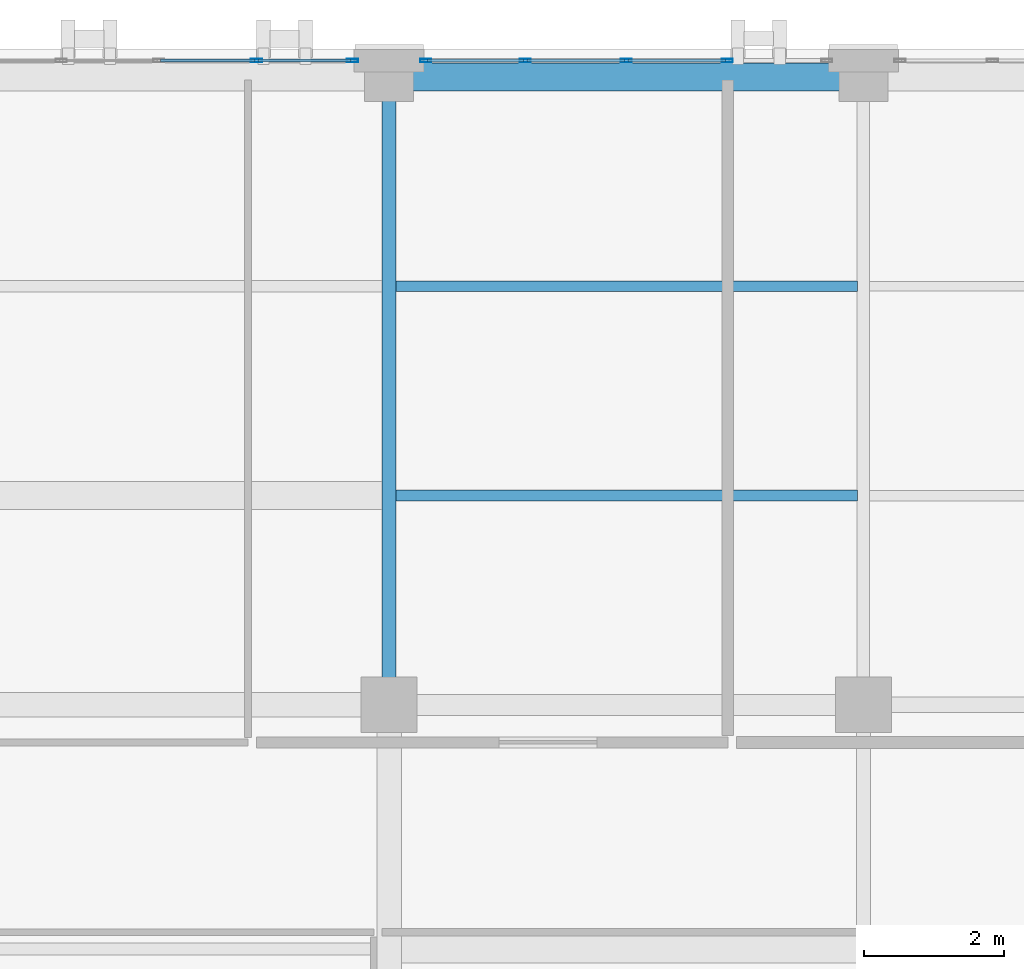
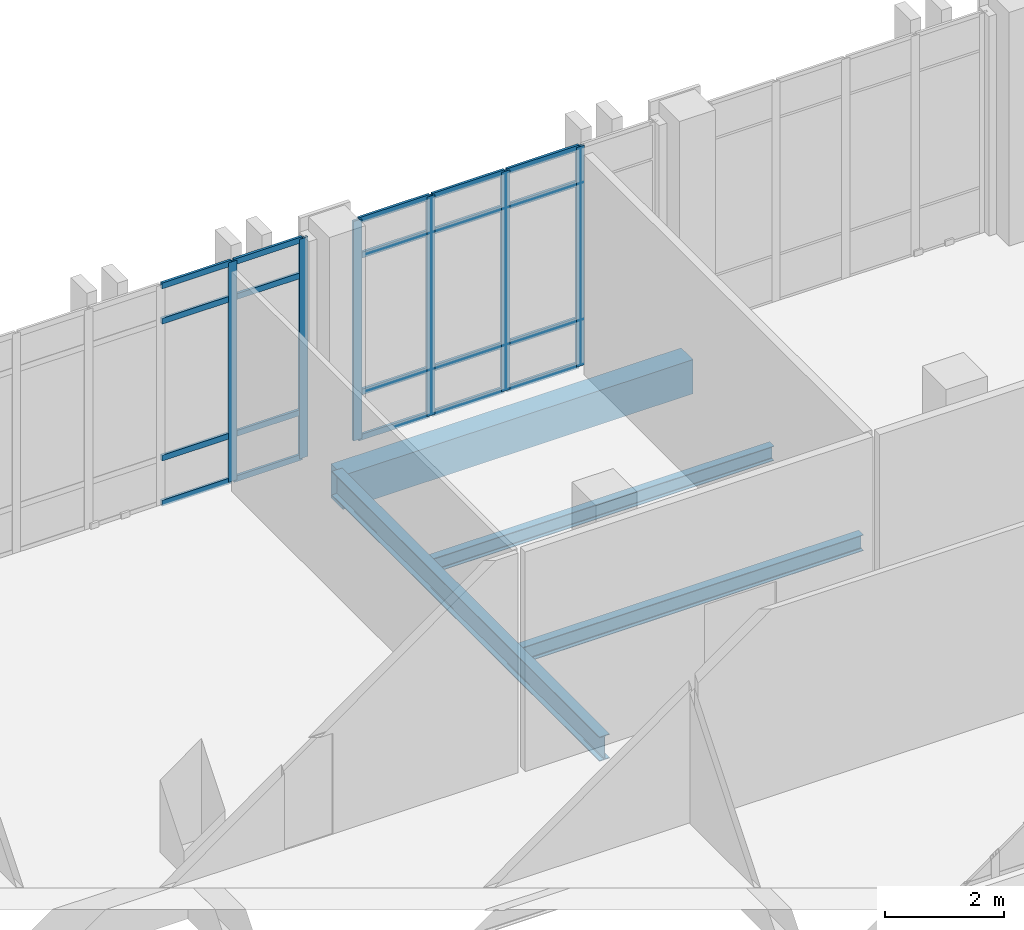
# One storey, part 95 of 189: 26 members, 4 beams, 2 elements without a shape of their own.
"""IFC4 building model written with IfcOpenShell, lengths in metres."""

from ifc_helpers import new_model, si_unit, direction, frame, origin, origin_2d, place, context, subcontext, project, spatial, rectangle, hollow_rectangle, i_section, extrude, material, layer, layer_set, material_profile, profile_set, type_object, element, aggregate, save


model = new_model("IFC4")

# Units and contexts
model_context = context("Model", 3, precision=1e-05, world=origin(), true_north=direction((0.0, 1.0)))
body_context = subcontext(model_context, "Body", "Model", "MODEL_VIEW")
ifc_project = project(units=[si_unit("LENGTHUNIT", "METRE"), si_unit("AREAUNIT", "SQUARE_METRE"), si_unit("VOLUMEUNIT", "CUBIC_METRE"), si_unit("PLANEANGLEUNIT", "RADIAN"), si_unit("MASSUNIT", "GRAM", prefix="KILO")], contexts=[model_context])

# Site, building, storey
site_placement = place(None, origin())
site = spatial("IfcSite", under=ifc_project, at=site_placement, CompositionType="ELEMENT")
building_placement = place(site_placement, origin())
building = spatial("IfcBuilding", under=site, at=building_placement, Name="Qalavern Law Courts", CompositionType="ELEMENT")
storey_placement = place(building_placement, frame((0.0, 0.0, 5.39990234375)))
storey = spatial("IfcBuildingStorey", under=building, at=storey_placement, Name="L01", CompositionType="ELEMENT", Elevation=5.39990234375)

# Curtain wall, members
ifc_material_1 = material(Name="Anodised aluminium and insulated glazing", Category="aluminium")
ifc_layer = layer(ifc_material_1, 0.166015625)
ifc_layer_set = layer_set([ifc_layer], Name="Anodised aluminium and insulated glazing")
curtain_wall_type = type_object("IfcCurtainWallType", Name="ENV-CW-LIB", PredefinedType="USERDEFINED", material=ifc_layer_set)
curtain_wall_1_placement = place(storey_placement, origin())
curtain_wall_1 = element("IfcCurtainWall", 1, at=curtain_wall_1_placement, inside=storey, type_object=curtain_wall_type, Name="V5 unitised curtain wall L01 north 3", ObjectType="UNITISED CURTAIN WALL", PredefinedType="USERDEFINED")
ifc_material_2 = material(Name="Anodised aluminium", Category="aluminium")
ifc_material_profile_1 = material_profile(ifc_material_2, hollow_rectangle(XDim=0.048095703125, YDim=0.159912109375, WallThickness=0.00390625, at=origin_2d()), Name="ALU MULLION 48x160")
ifc_profile_set_1 = profile_set([ifc_material_profile_1], Name="Anodised aluminium")
member_type_1 = type_object("IfcMemberType", Name="ENV-CWM-48x160", PredefinedType="MULLION", material=ifc_profile_set_1)
member_1_placement = place(storey_placement, frame((49.64990234375, 112.83740234375, 0.0), z_axis=(0.0, 0.0, 1.0), x_axis=(0.0, -1.0, 0.0)))
member_1 = element("IfcMember", 2, at=member_1_placement, type_object=member_type_1, Name="CW-05 mullion 2", PredefinedType="MULLION", context=body_context, shape_type="SweptSolid", body=[
    extrude(hollow_rectangle(XDim=0.048095703125, YDim=0.159912109375, WallThickness=0.00390625, at=origin_2d()), origin(), (0.0, 0.0, 1.0), 4.510009765625),
])
member_2_placement = place(storey_placement, frame((48.199951171875, 112.83740234375, 0.0), z_axis=(0.0, 0.0, 1.0), x_axis=(0.0, -1.0, 0.0)))
member_2 = element("IfcMember", 3, at=member_2_placement, type_object=member_type_1, Name="CW-05 mullion 3", PredefinedType="MULLION", context=body_context, shape_type="SweptSolid", body=[
    extrude(hollow_rectangle(XDim=0.048095703125, YDim=0.159912109375, WallThickness=0.00390625, at=origin_2d()), origin(), (0.0, 0.0, 1.0), 4.510009765625),
])
member_3_placement = place(storey_placement, frame((46.75, 112.83740234375, 0.0), z_axis=(0.0, 0.0, 1.0), x_axis=(0.0, -1.0, 0.0)))
member_3 = element("IfcMember", 4, at=member_3_placement, type_object=member_type_1, Name="CW-05 mullion 4", PredefinedType="MULLION", context=body_context, shape_type="SweptSolid", body=[
    extrude(hollow_rectangle(XDim=0.048095703125, YDim=0.159912109375, WallThickness=0.00390625, at=origin_2d()), origin(), (0.0, 0.0, 1.0), 4.510009765625),
])
member_4_placement = place(storey_placement, frame((45.323974609375, 112.83740234375, 0.0), z_axis=(0.0, 0.0, 1.0), x_axis=(0.0, -1.0, 0.0)))
member_4 = element("IfcMember", 5, at=member_4_placement, type_object=member_type_1, Name="CW-05 mullion 5", PredefinedType="MULLION", context=body_context, shape_type="SweptSolid", body=[
    extrude(hollow_rectangle(XDim=0.048095703125, YDim=0.159912109375, WallThickness=0.00390625, at=origin_2d()), origin(), (0.0, 0.0, 1.0), 4.510009765625),
])

curtain_wall_2_placement = place(storey_placement, origin())
curtain_wall_2 = element("IfcCurtainWall", 6, at=curtain_wall_2_placement, inside=storey, type_object=curtain_wall_type, Name="V5 unitised curtain wall L01 north 4", ObjectType="UNITISED CURTAIN WALL", PredefinedType="USERDEFINED")
member_5_placement = place(storey_placement, frame((44.27587890625, 112.83740234375, 0.0), z_axis=(0.0, 0.0, 1.0), x_axis=(0.0, -1.0, 0.0)))
member_5 = element("IfcMember", 7, at=member_5_placement, type_object=member_type_1, Name="CW-05 mullion 1", PredefinedType="MULLION", context=body_context, shape_type="SweptSolid", body=[
    extrude(hollow_rectangle(XDim=0.048095703125, YDim=0.159912109375, WallThickness=0.00390625, at=origin_2d()), origin(), (0.0, 0.0, 1.0), 4.510009765625),
])
member_6_placement = place(storey_placement, frame((42.89990234375, 112.83740234375, 0.0), z_axis=(0.0, 0.0, 1.0), x_axis=(0.0, -1.0, 0.0)))
member_6 = element("IfcMember", 8, at=member_6_placement, type_object=member_type_1, Name="CW-05 mullion 2", PredefinedType="MULLION", context=body_context, shape_type="SweptSolid", body=[
    extrude(hollow_rectangle(XDim=0.048095703125, YDim=0.159912109375, WallThickness=0.00390625, at=origin_2d()), origin(), (0.0, 0.0, 1.0), 4.510009765625),
])

# Member
ifc_material_profile_2 = material_profile(ifc_material_2, hollow_rectangle(XDim=0.048095703125, YDim=0.1201171875, WallThickness=0.00390625, at=origin_2d()), Name="ALU TRANSOM 48x120")
ifc_profile_set_2 = profile_set([ifc_material_profile_2], Name="Anodised aluminium")
member_type_2 = type_object("IfcMemberType", Name="ENV-CWT-48x120", PredefinedType="USERDEFINED", material=ifc_profile_set_2)
member_7_placement = place(storey_placement, frame((49.6259765625, 112.83740234375, 0.024169921875), z_axis=(-1.0, 0.0, 0.0), x_axis=(0.0, -1.0, 0.0)))
member_7 = element("IfcMember", 9, at=member_7_placement, type_object=member_type_2, Name="CW-05 transom 2.1", ObjectType="TRANSOM", PredefinedType="USERDEFINED", context=body_context, shape_type="SweptSolid", body=[
    extrude(hollow_rectangle(XDim=0.048095703125, YDim=0.1201171875, WallThickness=0.00390625, at=origin_2d()), origin(), (0.0, 0.0, 1.0), 1.40185546875),
])

member_8_placement = place(storey_placement, frame((49.6259765625, 112.83740234375, 0.9501953125), z_axis=(-1.0, 0.0, 0.0), x_axis=(0.0, -1.0, 0.0)))
member_8 = element("IfcMember", 10, at=member_8_placement, type_object=member_type_2, Name="CW-05 transom 2.2", ObjectType="TRANSOM", PredefinedType="USERDEFINED", context=body_context, shape_type="SweptSolid", body=[
    extrude(hollow_rectangle(XDim=0.048095703125, YDim=0.1201171875, WallThickness=0.00390625, at=origin_2d()), origin(), (0.0, 0.0, 1.0), 1.40185546875),
])

member_9_placement = place(storey_placement, frame((49.6259765625, 112.83740234375, 3.760009765625), z_axis=(-1.0, 0.0, 0.0), x_axis=(0.0, -1.0, 0.0)))
member_9 = element("IfcMember", 11, at=member_9_placement, type_object=member_type_2, Name="CW-05 transom 2.3", ObjectType="TRANSOM", PredefinedType="USERDEFINED", context=body_context, shape_type="SweptSolid", body=[
    extrude(hollow_rectangle(XDim=0.048095703125, YDim=0.1201171875, WallThickness=0.00390625, at=origin_2d()), origin(), (0.0, 0.0, 1.0), 1.40185546875),
])

member_10_placement = place(storey_placement, frame((49.6259765625, 112.83740234375, 4.486083984375), z_axis=(-1.0, 0.0, 0.0), x_axis=(0.0, -1.0, 0.0)))
member_10 = element("IfcMember", 12, at=member_10_placement, type_object=member_type_2, Name="CW-05 transom 2.4", ObjectType="TRANSOM", PredefinedType="USERDEFINED", context=body_context, shape_type="SweptSolid", body=[
    extrude(hollow_rectangle(XDim=0.048095703125, YDim=0.1201171875, WallThickness=0.00390625, at=origin_2d()), origin(), (0.0, 0.0, 1.0), 1.40185546875),
])

member_11_placement = place(storey_placement, frame((48.176025390625, 112.83740234375, 0.024169921875), z_axis=(-1.0, 0.0, 0.0), x_axis=(0.0, -1.0, 0.0)))
member_11 = element("IfcMember", 13, at=member_11_placement, type_object=member_type_2, Name="CW-05 transom 3.1", ObjectType="TRANSOM", PredefinedType="USERDEFINED", context=body_context, shape_type="SweptSolid", body=[
    extrude(hollow_rectangle(XDim=0.048095703125, YDim=0.1201171875, WallThickness=0.00390625, at=origin_2d()), origin(), (0.0, 0.0, 1.0), 1.402099609375),
])

member_12_placement = place(storey_placement, frame((48.176025390625, 112.83740234375, 0.9501953125), z_axis=(-1.0, 0.0, 0.0), x_axis=(0.0, -1.0, 0.0)))
member_12 = element("IfcMember", 14, at=member_12_placement, type_object=member_type_2, Name="CW-05 transom 3.2", ObjectType="TRANSOM", PredefinedType="USERDEFINED", context=body_context, shape_type="SweptSolid", body=[
    extrude(hollow_rectangle(XDim=0.048095703125, YDim=0.1201171875, WallThickness=0.00390625, at=origin_2d()), origin(), (0.0, 0.0, 1.0), 1.402099609375),
])

member_13_placement = place(storey_placement, frame((48.176025390625, 112.83740234375, 3.760009765625), z_axis=(-1.0, 0.0, 0.0), x_axis=(0.0, -1.0, 0.0)))
member_13 = element("IfcMember", 15, at=member_13_placement, type_object=member_type_2, Name="CW-05 transom 3.3", ObjectType="TRANSOM", PredefinedType="USERDEFINED", context=body_context, shape_type="SweptSolid", body=[
    extrude(hollow_rectangle(XDim=0.048095703125, YDim=0.1201171875, WallThickness=0.00390625, at=origin_2d()), origin(), (0.0, 0.0, 1.0), 1.402099609375),
])

member_14_placement = place(storey_placement, frame((48.176025390625, 112.83740234375, 4.486083984375), z_axis=(-1.0, 0.0, 0.0), x_axis=(0.0, -1.0, 0.0)))
member_14 = element("IfcMember", 16, at=member_14_placement, type_object=member_type_2, Name="CW-05 transom 3.4", ObjectType="TRANSOM", PredefinedType="USERDEFINED", context=body_context, shape_type="SweptSolid", body=[
    extrude(hollow_rectangle(XDim=0.048095703125, YDim=0.1201171875, WallThickness=0.00390625, at=origin_2d()), origin(), (0.0, 0.0, 1.0), 1.402099609375),
])

member_15_placement = place(storey_placement, frame((46.72607421875, 112.83740234375, 0.024169921875), z_axis=(-1.0, 0.0, 0.0), x_axis=(0.0, -1.0, 0.0)))
member_15 = element("IfcMember", 17, at=member_15_placement, type_object=member_type_2, Name="CW-05 transom 4.1", ObjectType="TRANSOM", PredefinedType="USERDEFINED", context=body_context, shape_type="SweptSolid", body=[
    extrude(hollow_rectangle(XDim=0.048095703125, YDim=0.1201171875, WallThickness=0.00390625, at=origin_2d()), origin(), (0.0, 0.0, 1.0), 1.378173828125),
])

member_16_placement = place(storey_placement, frame((46.72607421875, 112.83740234375, 0.9501953125), z_axis=(-1.0, 0.0, 0.0), x_axis=(0.0, -1.0, 0.0)))
member_16 = element("IfcMember", 18, at=member_16_placement, type_object=member_type_2, Name="CW-05 transom 4.2", ObjectType="TRANSOM", PredefinedType="USERDEFINED", context=body_context, shape_type="SweptSolid", body=[
    extrude(hollow_rectangle(XDim=0.048095703125, YDim=0.1201171875, WallThickness=0.00390625, at=origin_2d()), origin(), (0.0, 0.0, 1.0), 1.378173828125),
])

member_17_placement = place(storey_placement, frame((46.72607421875, 112.83740234375, 3.760009765625), z_axis=(-1.0, 0.0, 0.0), x_axis=(0.0, -1.0, 0.0)))
member_17 = element("IfcMember", 19, at=member_17_placement, type_object=member_type_2, Name="CW-05 transom 4.3", ObjectType="TRANSOM", PredefinedType="USERDEFINED", context=body_context, shape_type="SweptSolid", body=[
    extrude(hollow_rectangle(XDim=0.048095703125, YDim=0.1201171875, WallThickness=0.00390625, at=origin_2d()), origin(), (0.0, 0.0, 1.0), 1.378173828125),
])

member_18_placement = place(storey_placement, frame((46.72607421875, 112.83740234375, 4.486083984375), z_axis=(-1.0, 0.0, 0.0), x_axis=(0.0, -1.0, 0.0)))
member_18 = element("IfcMember", 20, at=member_18_placement, type_object=member_type_2, Name="CW-05 transom 4.4", ObjectType="TRANSOM", PredefinedType="USERDEFINED", context=body_context, shape_type="SweptSolid", body=[
    extrude(hollow_rectangle(XDim=0.048095703125, YDim=0.1201171875, WallThickness=0.00390625, at=origin_2d()), origin(), (0.0, 0.0, 1.0), 1.378173828125),
])

aggregate(curtain_wall_1, [member_1, member_2, member_3, member_4, member_7, member_8, member_9, member_10, member_11, member_12, member_13, member_14, member_15, member_16, member_17, member_18])

member_19_placement = place(storey_placement, frame((44.251953125, 112.83740234375, 0.024169921875), z_axis=(-1.0, 0.0, 0.0), x_axis=(0.0, -1.0, 0.0)))
member_19 = element("IfcMember", 21, at=member_19_placement, type_object=member_type_2, Name="CW-05 transom 1.1", ObjectType="TRANSOM", PredefinedType="USERDEFINED", context=body_context, shape_type="SweptSolid", body=[
    extrude(hollow_rectangle(XDim=0.048095703125, YDim=0.1201171875, WallThickness=0.00390625, at=origin_2d()), origin(), (0.0, 0.0, 1.0), 1.327880859375),
])

member_20_placement = place(storey_placement, frame((44.251953125, 112.83740234375, 0.9501953125), z_axis=(-1.0, 0.0, 0.0), x_axis=(0.0, -1.0, 0.0)))
member_20 = element("IfcMember", 22, at=member_20_placement, type_object=member_type_2, Name="CW-05 transom 1.2", ObjectType="TRANSOM", PredefinedType="USERDEFINED", context=body_context, shape_type="SweptSolid", body=[
    extrude(hollow_rectangle(XDim=0.048095703125, YDim=0.1201171875, WallThickness=0.00390625, at=origin_2d()), origin(), (0.0, 0.0, 1.0), 1.327880859375),
])

member_21_placement = place(storey_placement, frame((44.251953125, 112.83740234375, 3.760009765625), z_axis=(-1.0, 0.0, 0.0), x_axis=(0.0, -1.0, 0.0)))
member_21 = element("IfcMember", 23, at=member_21_placement, type_object=member_type_2, Name="CW-05 transom 1.3", ObjectType="TRANSOM", PredefinedType="USERDEFINED", context=body_context, shape_type="SweptSolid", body=[
    extrude(hollow_rectangle(XDim=0.048095703125, YDim=0.1201171875, WallThickness=0.00390625, at=origin_2d()), origin(), (0.0, 0.0, 1.0), 1.327880859375),
])

member_22_placement = place(storey_placement, frame((44.251953125, 112.83740234375, 4.486083984375), z_axis=(-1.0, 0.0, 0.0), x_axis=(0.0, -1.0, 0.0)))
member_22 = element("IfcMember", 24, at=member_22_placement, type_object=member_type_2, Name="CW-05 transom 1.4", ObjectType="TRANSOM", PredefinedType="USERDEFINED", context=body_context, shape_type="SweptSolid", body=[
    extrude(hollow_rectangle(XDim=0.048095703125, YDim=0.1201171875, WallThickness=0.00390625, at=origin_2d()), origin(), (0.0, 0.0, 1.0), 1.327880859375),
])

member_23_placement = place(storey_placement, frame((42.8759765625, 112.83740234375, 0.024169921875), z_axis=(-1.0, 0.0, 0.0), x_axis=(0.0, -1.0, 0.0)))
member_23 = element("IfcMember", 25, at=member_23_placement, type_object=member_type_2, Name="CW-05 transom 2.1", ObjectType="TRANSOM", PredefinedType="USERDEFINED", context=body_context, shape_type="SweptSolid", body=[
    extrude(hollow_rectangle(XDim=0.048095703125, YDim=0.1201171875, WallThickness=0.00390625, at=origin_2d()), origin(), (0.0, 0.0, 1.0), 1.35205078125),
])

member_24_placement = place(storey_placement, frame((42.8759765625, 112.83740234375, 0.9501953125), z_axis=(-1.0, 0.0, 0.0), x_axis=(0.0, -1.0, 0.0)))
member_24 = element("IfcMember", 26, at=member_24_placement, type_object=member_type_2, Name="CW-05 transom 2.2", ObjectType="TRANSOM", PredefinedType="USERDEFINED", context=body_context, shape_type="SweptSolid", body=[
    extrude(hollow_rectangle(XDim=0.048095703125, YDim=0.1201171875, WallThickness=0.00390625, at=origin_2d()), origin(), (0.0, 0.0, 1.0), 1.35205078125),
])

member_25_placement = place(storey_placement, frame((42.8759765625, 112.83740234375, 3.760009765625), z_axis=(-1.0, 0.0, 0.0), x_axis=(0.0, -1.0, 0.0)))
member_25 = element("IfcMember", 27, at=member_25_placement, type_object=member_type_2, Name="CW-05 transom 2.3", ObjectType="TRANSOM", PredefinedType="USERDEFINED", context=body_context, shape_type="SweptSolid", body=[
    extrude(hollow_rectangle(XDim=0.048095703125, YDim=0.1201171875, WallThickness=0.00390625, at=origin_2d()), origin(), (0.0, 0.0, 1.0), 1.35205078125),
])

member_26_placement = place(storey_placement, frame((42.8759765625, 112.83740234375, 4.486083984375), z_axis=(-1.0, 0.0, 0.0), x_axis=(0.0, -1.0, 0.0)))
member_26 = element("IfcMember", 28, at=member_26_placement, type_object=member_type_2, Name="CW-05 transom 2.4", ObjectType="TRANSOM", PredefinedType="USERDEFINED", context=body_context, shape_type="SweptSolid", body=[
    extrude(hollow_rectangle(XDim=0.048095703125, YDim=0.1201171875, WallThickness=0.00390625, at=origin_2d()), origin(), (0.0, 0.0, 1.0), 1.35205078125),
])

aggregate(curtain_wall_2, [member_5, member_6, member_19, member_20, member_21, member_22, member_23, member_24, member_25, member_26])

# Beams
ifc_material_3 = material(Name="Steel S355", Category="steel")
ifc_material_profile_3 = material_profile(ifc_material_3, i_section(OverallWidth=0.199951171875, OverallDepth=0.5, WebThickness=0.01025390625, FlangeThickness=0.01611328125, FilletRadius=0.02099609375, at=origin_2d()), Name="IPE 500")
ifc_profile_set_3 = profile_set([ifc_material_profile_3], Name="Steel S355")
beam_type_1 = type_object("IfcBeamType", Name="STR-BM-IPE500", PredefinedType="BEAM", material=ifc_profile_set_3)
beam_1_placement = place(storey_placement, frame((44.800048828125, 103.60009765625, -0.5498046875), z_axis=(0.0, 1.0, 0.0), x_axis=(-1.0, 0.0, 0.0)))
element("IfcBeam", 29, at=beam_1_placement, inside=storey, type_object=beam_type_1, Name="V5 Y-beam 6-2 L01", PredefinedType="BEAM", context=body_context, shape_type="SweptSolid", body=[
    extrude(i_section(OverallWidth=0.199951171875, OverallDepth=0.5, WebThickness=0.01025390625, FlangeThickness=0.01611328125, FilletRadius=0.02099609375, at=origin_2d()), origin(), (0.0, 0.0, 1.0), 9.0),
])
ifc_material_profile_4 = material_profile(ifc_material_3, i_section(OverallWidth=0.14990234375, OverallDepth=0.300048828125, WebThickness=0.007080078125, FlangeThickness=0.0107421875, FilletRadius=0.014892578125, at=origin_2d()), Name="IPE 300")
ifc_profile_set_4 = profile_set([ifc_material_profile_4], Name="Steel S355")
beam_type_2 = type_object("IfcBeamType", Name="STR-JST-IPE300", PredefinedType="JOIST", material=ifc_profile_set_4)
beam_2_placement = place(storey_placement, frame((44.89794921875, 109.60009765625, -0.449951171875), z_axis=(1.0, 0.0, 0.0), x_axis=(0.0, 1.0, 0.0)))
element("IfcBeam", 30, at=beam_2_placement, inside=storey, type_object=beam_type_2, Name="V5 secondary joist 6.2.2 L01", PredefinedType="JOIST", context=body_context, shape_type="SweptSolid", body=[
    extrude(i_section(OverallWidth=0.14990234375, OverallDepth=0.300048828125, WebThickness=0.007080078125, FlangeThickness=0.0107421875, FilletRadius=0.014892578125, at=origin_2d()), origin(), (0.0, 0.0, 1.0), 6.614013671875),
])
ifc_material_profile_5 = material_profile(ifc_material_3, i_section(OverallWidth=0.159912109375, OverallDepth=0.330078125, WebThickness=0.007568359375, FlangeThickness=0.011474609375, FilletRadius=0.01806640625, at=origin_2d()), Name="IPE 330")
ifc_profile_set_5 = profile_set([ifc_material_profile_5], Name="Steel S355")
beam_type_3 = type_object("IfcBeamType", Name="STR-JST-IPE330", PredefinedType="JOIST", material=ifc_profile_set_5)
beam_3_placement = place(storey_placement, frame((44.89794921875, 106.60009765625, -0.46484375), z_axis=(1.0, 0.0, 0.0), x_axis=(0.0, 1.0, 0.0)))
element("IfcBeam", 31, at=beam_3_placement, inside=storey, type_object=beam_type_3, Name="V5 secondary joist 6.2.1 L01", PredefinedType="JOIST", context=body_context, shape_type="SweptSolid", body=[
    extrude(i_section(OverallWidth=0.159912109375, OverallDepth=0.330078125, WebThickness=0.007568359375, FlangeThickness=0.011474609375, FilletRadius=0.01806640625, at=origin_2d()), origin(), (0.0, 0.0, 1.0), 6.614013671875),
])
ifc_material_4 = material(Name="Concrete C40/50", Category="concrete")
ifc_material_profile_6 = material_profile(ifc_material_4, rectangle(XDim=0.39990234375, YDim=0.699951171875, at=origin_2d()), Name="RC 400x700")
ifc_profile_set_6 = profile_set([ifc_material_profile_6], Name="Concrete C40/50")
beam_type_4 = type_object("IfcBeamType", Name="STR-SP-RC400x700", PredefinedType="SPANDREL", material=ifc_profile_set_6)
beam_4_placement = place(storey_placement, frame((44.800048828125, 112.60009765625, -0.64990234375), z_axis=(1.0, 0.0, 0.0), x_axis=(0.0, 1.0, 0.0)))
element("IfcBeam", 32, at=beam_4_placement, inside=storey, type_object=beam_type_4, Name="V5 X-beam 3-6 L01", PredefinedType="SPANDREL", context=body_context, shape_type="SweptSolid", body=[
    extrude(rectangle(XDim=0.39990234375, YDim=0.699951171875, at=origin_2d()), origin(), (0.0, 0.0, 1.0), 6.800048828125),
])

save(model, "model.ifc")
